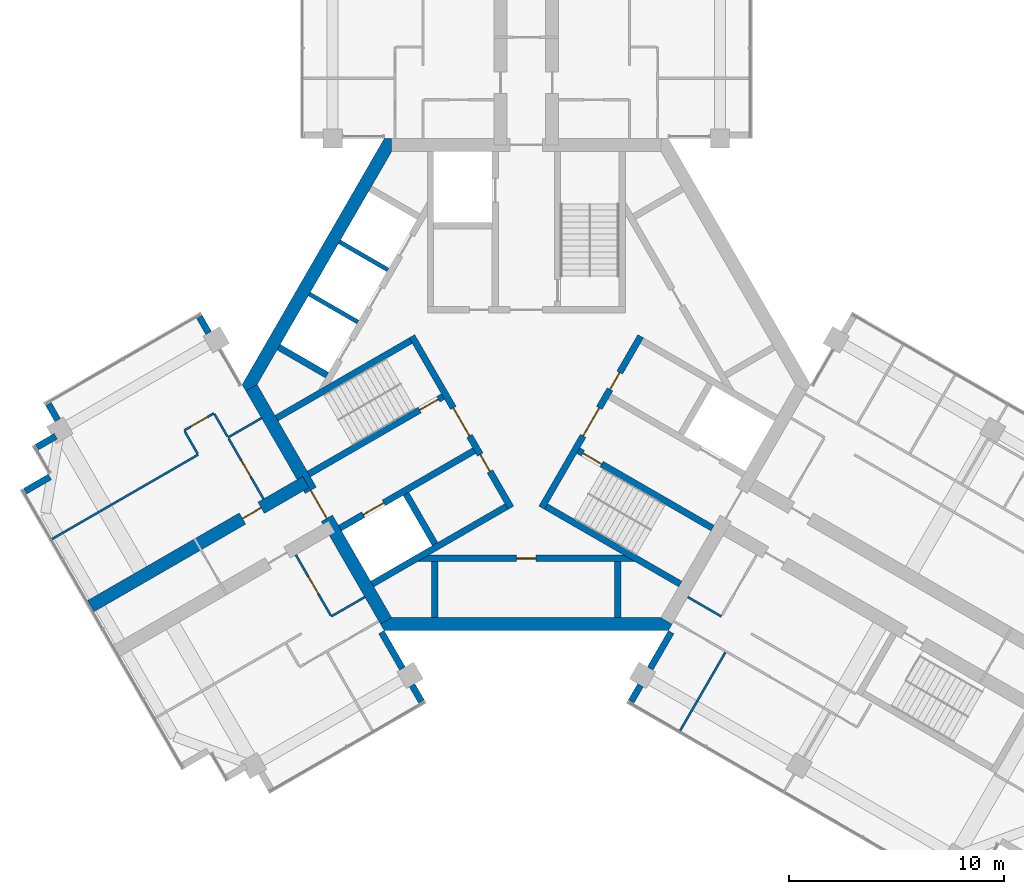
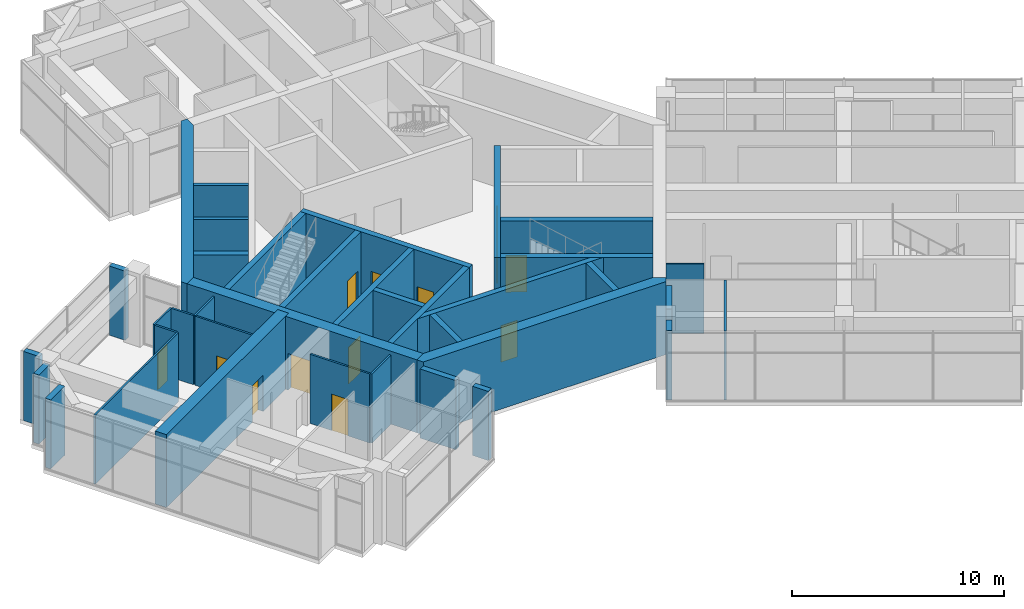
# One storey, part 9 of 13: 37 walls, 13 doors, 13 openings.
"""IFC4 building model written with IfcOpenShell, lengths in metres."""

from ifc_helpers import new_model, si_unit, direction, frame, frame_2d, origin, place, context, subcontext, project, spatial, polyline, rectangle, outline, extrude, material, layer, layer_set, type_object, element, fill, save


model = new_model("IFC4")

# Units and contexts
model_context = context("Model", 3, precision=1e-05, world=origin(), true_north=direction((0.0, 1.0)))
body_context = subcontext(model_context, "Body", "Model", "MODEL_VIEW")
ifc_project = project(units=[si_unit("LENGTHUNIT", "METRE"), si_unit("AREAUNIT", "SQUARE_METRE"), si_unit("VOLUMEUNIT", "CUBIC_METRE"), si_unit("PLANEANGLEUNIT", "RADIAN"), si_unit("MASSUNIT", "GRAM", prefix="KILO")], contexts=[model_context])

# Site, building, storey
site_placement = place(None, origin())
site = spatial("IfcSite", under=ifc_project, at=site_placement, CompositionType="ELEMENT")
building_placement = place(site_placement, origin())
building = spatial("IfcBuilding", under=site, at=building_placement, Name="Impinga Residences", CompositionType="ELEMENT")
storey_placement = place(building_placement, frame((0.0, 0.0, 287.35009765625)))
storey = spatial("IfcBuildingStorey", under=building, at=storey_placement, Name="L72", CompositionType="ELEMENT", Elevation=287.35009765625)

# Wall, opening, door
ifc_material_1 = material(Name="Concrete C60/75", Category="concrete")
ifc_layer_1 = layer(ifc_material_1, 0.60009765625)
ifc_layer_set_1 = layer_set([ifc_layer_1], Name="Concrete C60/75")
wall_type_1 = type_object("IfcWallType", Name="BW3 corridor buttress wall, L46 to L73 600", PredefinedType="SHEAR", material=ifc_layer_set_1)
wall_1_placement = place(storey_placement, frame((-10.240234375, -4.526611328125, 0.0), z_axis=(0.0, 0.0, 1.0), x_axis=(-0.866023496323, -0.500003303805, 0.0)))
wall_1 = element("IfcWall", 1, at=wall_1_placement, inside=storey, type_object=wall_type_1, Name="Corridor wall BW3 WD L72", PredefinedType="SHEAR", context=body_context, shape_type="SweptSolid", body=[
    extrude(rectangle(XDim=11.5380859375, YDim=0.60009765625, at=frame_2d((5.76904296875, 0.0))), origin(), (0.0, 0.0, 1.0), 4.199951171875),
])
opening_1_placement = place(wall_1_placement, frame((2.39990234375, 0.0, 0.0)))
opening_1 = element("IfcOpeningElement", 2, at=opening_1_placement, cuts=wall_1, Name="Opening D1", PredefinedType="OPENING", context=body_context, shape_type="SweptSolid", body=[
    extrude(rectangle(XDim=1.0, YDim=2.10009765625, at=frame_2d((0.5, 1.050048828125))), frame((0.0, 0.31005859375, 0.0), z_axis=(0.0, -1.0, 0.0), x_axis=(1.0, 0.0, 0.0)), (0.0, 0.0, 1.0), 0.6201171875),
])
ifc_material_2 = material(Name="Timber door set", Category="wood")
door_type_1 = type_object("IfcDoorType", Name="D1 apartment entrance door 1000x2100", OperationType="SINGLE_SWING_LEFT", PredefinedType="DOOR", material=ifc_material_2)
door_1_placement = place(opening_1_placement, origin())
door_1 = element("IfcDoor", 3, at=door_1_placement, inside=storey, type_object=door_type_1, Name="Apartment L72-WF1 entrance", OperationType="SINGLE_SWING_LEFT", OverallHeight=2.10009765625, OverallWidth=1.0, PredefinedType="DOOR", context=body_context, shape_type="SweptSolid", body=[
    extrude(rectangle(XDim=1.0, YDim=2.10009765625, at=frame_2d((0.5, 1.050048828125))), frame((0.0, 0.02490234375, 0.0), z_axis=(0.0, -1.0, 0.0), x_axis=(1.0, 0.0, 0.0)), (0.0, 0.0, 1.0), 0.050048828125),
])
fill(opening_1, door_1)

# Walls
ifc_material_3 = material(Name="Stone facing on blockwork", Category="masonry")
ifc_layer_2 = layer(ifc_material_3, 0.300048828125)
ifc_layer_set_2 = layer_set([ifc_layer_2], Name="EW2 external wall, stone facing on blockwork 300")
wall_type_2 = type_object("IfcWallType", Name="EW2 external wall, stone facing on blockwork 300", PredefinedType="SOLIDWALL", material=ifc_layer_set_2)
wall_2_placement = place(storey_placement, frame((4.872314453125, -14.723876953125, 0.0), z_axis=(0.0, 0.0, 1.0), x_axis=(0.500023708017, 0.866011715522, 0.0)))
element("IfcWall", 4, at=wall_2_placement, inside=storey, type_object=wall_type_2, Name="External wall EW2 L72", PredefinedType="SOLIDWALL", context=body_context, shape_type="SweptSolid", body=[
    extrude(rectangle(XDim=0.865234375, YDim=0.300048828125, at=frame_2d((0.4326171875, 0.0))), origin(), (0.0, 0.0, 1.0), 3.97998046875),
])
for number, where, z_axis, x_axis, name in (
    (5, (5.7548828125, -13.1953125, 0.0), (0.0, 0.0, 1.0), (0.500043961785, 0.866000020948, 0.0), "External wall EW2 L72"),
    (6, (-6.72998046875, -11.506591796875, 0.0), (0.0, 0.0, 1.0), (0.500043961785, -0.866000020948, 0.0), "External wall EW2 L72"),
):
    element("IfcWall", number, at=place(storey_placement, frame(where, z_axis=z_axis, x_axis=x_axis)), inside=storey, type_object=wall_type_2, Name=name, PredefinedType="SOLIDWALL", context=body_context, shape_type="SweptSolid", body=[
        extrude(rectangle(XDim=1.949951171875, YDim=0.300048828125, at=frame_2d((0.97509765625, 0.0))), origin(), (0.0, 0.0, 1.0), 3.97998046875),
    ])
wall_3_placement = place(storey_placement, frame((-5.304931640625, -13.974609375, 0.0), z_axis=(0.0, 0.0, 1.0), x_axis=(0.500023708017, -0.866011715522, 0.0)))
element("IfcWall", 7, at=wall_3_placement, inside=storey, type_object=wall_type_2, Name="External wall EW2 L72", PredefinedType="SOLIDWALL", context=body_context, shape_type="SweptSolid", body=[
    extrude(rectangle(XDim=0.865234375, YDim=0.300048828125, at=frame_2d((0.4326171875, 0.0))), origin(), (0.0, 0.0, 1.0), 3.97998046875),
])
wall_4_placement = place(storey_placement, frame((-23.287353515625, -4.9580078125, 0.0), z_axis=(0.0, 0.0, 1.0), x_axis=(0.865974619471, 0.500087950697, 0.0)))
element("IfcWall", 8, at=wall_4_placement, inside=storey, type_object=wall_type_2, Name="External wall EW2 L72", PredefinedType="SOLIDWALL", context=body_context, shape_type="SweptSolid", body=[
    extrude(rectangle(XDim=1.329833984375, YDim=0.300048828125, at=frame_2d((0.6650390625, 0.0))), origin(), (0.0, 0.0, 1.0), 3.97998046875),
])
wall_5_placement = place(storey_placement, frame((-22.738525390625, -2.908935546875, 0.0), z_axis=(0.0, 0.0, 1.0), x_axis=(0.866029394266, 0.49999308822, 0.0)))
element("IfcWall", 9, at=wall_5_placement, inside=storey, type_object=wall_type_2, Name="External wall EW2 L72", PredefinedType="SOLIDWALL", context=body_context, shape_type="SweptSolid", body=[
    extrude(rectangle(XDim=1.01513671875, YDim=0.300048828125, at=frame_2d((0.507568359375, 0.0))), origin(), (0.0, 0.0, 1.0), 3.97998046875),
])
for number, where, z_axis, x_axis, name in (
    (10, (-21.771240234375, -1.654296875, 0.0), (0.0, 0.0, 1.0), (-0.499885902046, 0.866091268248, 0.0), "External wall EW2 L72"),
    (11, (-15.1875, 3.142333984375, 0.0), (0.0, 0.0, 1.0), (0.500098305348, -0.865968639725, 0.0), "External wall EW2 L72"),
):
    element("IfcWall", number, at=place(storey_placement, frame(where, z_axis=z_axis, x_axis=x_axis)), inside=storey, type_object=wall_type_2, Name=name, PredefinedType="SOLIDWALL", context=body_context, shape_type="SweptSolid", body=[
        extrude(rectangle(XDim=0.862060546875, YDim=0.300048828125, at=frame_2d((0.43115234375, 0.0))), origin(), (0.0, 0.0, 1.0), 3.97998046875),
    ])
ifc_material_4 = material(Name="Gypsum board on steel studs", Category="steel")
ifc_layer_3 = layer(ifc_material_4, 0.10009765625)
ifc_layer_set_3 = layer_set([ifc_layer_3], Name="Gypsum board on steel studs")
wall_type_3 = type_object("IfcWallType", Name="IP1 partition 100", PredefinedType="PARTITIONING", material=ifc_layer_set_3)
wall_6_placement = place(storey_placement, frame((-7.5, -9.872802734375, 0.0), z_axis=(0.0, 0.0, 1.0), x_axis=(-0.866047807691, -0.499961193289, 0.0)))
element("IfcWall", 12, at=wall_6_placement, inside=storey, type_object=wall_type_3, Name="Partition L72-WA1:DIV0", PredefinedType="PARTITIONING", context=body_context, shape_type="SweptSolid", body=[
    extrude(rectangle(XDim=1.800048828125, YDim=0.10009765625, at=frame_2d((0.89990234375, 0.0))), origin(), (0.0, 0.0, 1.0), 3.97998046875),
])

# Wall, opening, door
wall_7_placement = place(storey_placement, frame((-10.708740234375, -7.914794921875, 0.0), z_axis=(0.0, 0.0, 1.0), x_axis=(0.499984717929, -0.866034226713, 0.0)))
wall_7 = element("IfcWall", 13, at=wall_7_placement, inside=storey, type_object=wall_type_3, Name="Partition L72-WA1:IB1", PredefinedType="PARTITIONING", context=body_context, shape_type="SweptSolid", body=[
    extrude(rectangle(XDim=3.25, YDim=0.10009765625, at=frame_2d((1.625, 0.0))), origin(), (0.0, 0.0, 1.0), 3.97998046875),
])
opening_2_placement = place(wall_7_placement, frame((1.175048828125, 0.0, 0.0)))
opening_2 = element("IfcOpeningElement", 14, at=opening_2_placement, cuts=wall_7, Name="Opening D2", PredefinedType="OPENING", context=body_context, shape_type="SweptSolid", body=[
    extrude(rectangle(XDim=0.89990234375, YDim=2.10009765625, at=frame_2d((0.449951171875, 1.050048828125))), frame((0.0, 0.06005859375, 0.0), z_axis=(0.0, -1.0, 0.0), x_axis=(1.0, 0.0, 0.0)), (0.0, 0.0, 1.0), 0.1201171875),
])
door_type_2 = type_object("IfcDoorType", Name="D2 internal door 900x2100", OperationType="SINGLE_SWING_LEFT", PredefinedType="DOOR", material=ifc_material_2)
door_2_placement = place(opening_2_placement, origin())
door_2 = element("IfcDoor", 15, at=door_2_placement, inside=storey, type_object=door_type_2, Name="Apartment L72-WA1 bathroom door", OperationType="SINGLE_SWING_LEFT", OverallHeight=2.10009765625, OverallWidth=0.89990234375, PredefinedType="DOOR", context=body_context, shape_type="SweptSolid", body=[
    extrude(rectangle(XDim=0.89990234375, YDim=2.10009765625, at=frame_2d((0.449951171875, 1.050048828125))), frame((0.0, 0.02490234375, 0.0), z_axis=(0.0, -1.0, 0.0), x_axis=(1.0, 0.0, 0.0)), (0.0, 0.0, 1.0), 0.050048828125),
])
fill(opening_2, door_2)

# Walls
wall_8_placement = place(storey_placement, frame((-12.300048828125, -1.558837890625, 0.0), z_axis=(0.0, 0.0, 1.0), x_axis=(-0.866047807691, -0.499961193289, 0.0)))
element("IfcWall", 16, at=wall_8_placement, inside=storey, type_object=wall_type_3, Name="Partition L72-WF1:DIV0", PredefinedType="PARTITIONING", context=body_context, shape_type="SweptSolid", body=[
    extrude(rectangle(XDim=1.800048828125, YDim=0.10009765625, at=frame_2d((0.89990234375, 0.0))), origin(), (0.0, 0.0, 1.0), 3.97998046875),
])
wall_9_placement = place(storey_placement, frame((-15.244384765625, -3.2587890625, 0.0), z_axis=(0.0, 0.0, 1.0), x_axis=(-0.866029956157, -0.499992114976, 0.0)))
element("IfcWall", 17, at=wall_9_placement, inside=storey, type_object=wall_type_3, Name="Partition L72-WF1:DIV1", PredefinedType="PARTITIONING", context=body_context, shape_type="SweptSolid", body=[
    extrude(rectangle(XDim=7.837158203125, YDim=0.10009765625, at=frame_2d((3.91845703125, 0.0))), origin(), (0.0, 0.0, 1.0), 3.97998046875),
])

# Wall, opening, door
wall_10_placement = place(storey_placement, frame((-14.5087890625, -1.3330078125, 0.0), z_axis=(0.0, 0.0, 1.0), x_axis=(-0.866028054938, -0.499995408039, 0.0)))
wall_10 = element("IfcWall", 18, at=wall_10_placement, inside=storey, type_object=wall_type_3, Name="Partition L72-WF1:STRIP", PredefinedType="PARTITIONING", context=body_context, shape_type="SweptSolid", body=[
    extrude(rectangle(XDim=1.60009765625, YDim=0.10009765625, at=frame_2d((0.800048828125, 0.0))), origin(), (0.0, 0.0, 1.0), 3.97998046875),
])
opening_3_placement = place(wall_10_placement, frame((0.35009765625, 0.0, 0.0)))
opening_3 = element("IfcOpeningElement", 19, at=opening_3_placement, cuts=wall_10, Name="Opening D2", PredefinedType="OPENING", context=body_context, shape_type="SweptSolid", body=[
    extrude(rectangle(XDim=0.89990234375, YDim=2.10009765625, at=frame_2d((0.449951171875, 1.050048828125))), frame((0.0, 0.06005859375, 0.0), z_axis=(0.0, -1.0, 0.0), x_axis=(1.0, 0.0, 0.0)), (0.0, 0.0, 1.0), 0.1201171875),
])
door_3_placement = place(opening_3_placement, origin())
door_3 = element("IfcDoor", 20, at=door_3_placement, inside=storey, type_object=door_type_2, Name="Apartment L72-WF1 room door", OperationType="SINGLE_SWING_LEFT", OverallHeight=2.10009765625, OverallWidth=0.89990234375, PredefinedType="DOOR", context=body_context, shape_type="SweptSolid", body=[
    extrude(rectangle(XDim=0.89990234375, YDim=2.10009765625, at=frame_2d((0.449951171875, 1.050048828125))), frame((0.0, 0.02490234375, 0.0), z_axis=(0.0, -1.0, 0.0), x_axis=(1.0, 0.0, 0.0)), (0.0, 0.0, 1.0), 0.050048828125),
])
fill(opening_3, door_3)

# Walls
wall_11_placement = place(storey_placement, frame((-13.8837890625, -2.41552734375, 0.0), z_axis=(0.0, 0.0, 1.0), x_axis=(-0.500033551112, 0.866006032174, 0.0)))
element("IfcWall", 21, at=wall_11_placement, inside=storey, type_object=wall_type_3, Name="Partition L72-WF1:SE0", PredefinedType="PARTITIONING", context=body_context, shape_type="SweptSolid", body=[
    extrude(rectangle(XDim=1.2001953125, YDim=0.10009765625, at=frame_2d((0.60009765625, 0.0))), origin(), (0.0, 0.0, 1.0), 3.97998046875),
])
wall_12_placement = place(storey_placement, frame((-15.26953125, -3.215576171875, 0.0), z_axis=(0.0, 0.0, 1.0), x_axis=(-0.499880961361, 0.866094119867, 0.0)))
element("IfcWall", 22, at=wall_12_placement, inside=storey, type_object=wall_type_3, Name="Partition L72-WF1:SE1", PredefinedType="PARTITIONING", context=body_context, shape_type="SweptSolid", body=[
    extrude(rectangle(XDim=1.199951171875, YDim=0.10009765625, at=frame_2d((0.60009765625, 0.0))), origin(), (0.0, 0.0, 1.0), 3.97998046875),
])

# Wall, opening, door
wall_13_placement = place(storey_placement, frame((-12.208740234375, -5.316650390625, 0.0), z_axis=(0.0, 0.0, 1.0), x_axis=(-0.500017246033, 0.866015446554, 0.0)))
wall_13 = element("IfcWall", 23, at=wall_13_placement, inside=storey, type_object=wall_type_3, Name="Partition L72-WF1:IB1", PredefinedType="PARTITIONING", context=body_context, shape_type="SweptSolid", body=[
    extrude(rectangle(XDim=3.25, YDim=0.10009765625, at=frame_2d((1.625, 0.0))), origin(), (0.0, 0.0, 1.0), 3.97998046875),
])
opening_4_placement = place(wall_13_placement, frame((1.175048828125, 0.0, 0.0)))
opening_4 = element("IfcOpeningElement", 24, at=opening_4_placement, cuts=wall_13, Name="Opening D2", PredefinedType="OPENING", context=body_context, shape_type="SweptSolid", body=[
    extrude(rectangle(XDim=0.89990234375, YDim=2.10009765625, at=frame_2d((0.449951171875, 1.050048828125))), frame((0.0, 0.06005859375, 0.0), z_axis=(0.0, -1.0, 0.0), x_axis=(1.0, 0.0, 0.0)), (0.0, 0.0, 1.0), 0.1201171875),
])
door_4_placement = place(opening_4_placement, origin())
door_4 = element("IfcDoor", 25, at=door_4_placement, inside=storey, type_object=door_type_2, Name="Apartment L72-WF1 bathroom door", OperationType="SINGLE_SWING_LEFT", OverallHeight=2.10009765625, OverallWidth=0.89990234375, PredefinedType="DOOR", context=body_context, shape_type="SweptSolid", body=[
    extrude(rectangle(XDim=0.89990234375, YDim=2.10009765625, at=frame_2d((0.449951171875, 1.050048828125))), frame((0.0, 0.02490234375, 0.0), z_axis=(0.0, -1.0, 0.0), x_axis=(1.0, 0.0, 0.0)), (0.0, 0.0, 1.0), 0.050048828125),
])
fill(opening_4, door_4)

# Walls
wall_14_placement = place(storey_placement, frame((7.5, -9.872802734375, 0.0), z_axis=(0.0, 0.0, 1.0), x_axis=(0.866047807691, -0.499961193289, 0.0)))
element("IfcWall", 26, at=wall_14_placement, inside=storey, type_object=wall_type_3, Name="Partition L72-EF1:DIV0", PredefinedType="PARTITIONING", context=body_context, shape_type="SweptSolid", body=[
    extrude(rectangle(XDim=1.800048828125, YDim=0.10009765625, at=frame_2d((0.89990234375, 0.0))), origin(), (0.0, 0.0, 1.0), 3.97998046875),
])
wall_15_placement = place(storey_placement, frame((9.249755859375, -12.44189453125, 0.0), z_axis=(0.0, 0.0, 1.0), x_axis=(-0.500008475426, -0.86602051044, 0.0)))
element("IfcWall", 27, at=wall_15_placement, inside=storey, type_object=wall_type_3, Name="Partition L72-EF1:OB1", PredefinedType="PARTITIONING", context=body_context, shape_type="SweptSolid", body=[
    extrude(rectangle(XDim=4.18701171875, YDim=0.10009765625, at=frame_2d((2.093505859375, 0.0))), origin(), (0.0, 0.0, 1.0), 3.97998046875),
])

# Wall, opening, door
ifc_layer_4 = layer(ifc_material_1, 0.60009765625)
ifc_layer_set_4 = layer_set([ifc_layer_4], Name="Concrete C60/75")
wall_type_4 = type_object("IfcWallType", Name="SW4 core wall, crown 600", PredefinedType="SHEAR", material=ifc_layer_set_4)
wall_16_placement = place(storey_placement, frame((-6.513427734375, -10.9814453125, 0.0), z_axis=(0.0, 0.0, 1.0), x_axis=(-0.500004069281, 0.866023054371, 0.0)))
wall_16 = element("IfcWall", 28, at=wall_16_placement, inside=storey, type_object=wall_type_4, Name="Core wall SW4 W:FACE L72", PredefinedType="SHEAR", context=body_context, shape_type="SweptSolid", body=[
    extrude(rectangle(XDim=12.50732421875, YDim=0.60009765625, at=frame_2d((6.253662109375, 0.0))), origin(), (0.0, 0.0, 1.0), 4.199951171875),
])
opening_5_placement = place(wall_16_placement, frame((5.503662109375, 0.0, 0.0)))
opening_5 = element("IfcOpeningElement", 29, at=opening_5_placement, cuts=wall_16, Name="Opening D4", PredefinedType="OPENING", context=body_context, shape_type="SweptSolid", body=[
    extrude(rectangle(XDim=1.5, YDim=2.10009765625, at=frame_2d((0.75, 1.050048828125))), frame((0.0, 0.31005859375, 0.0), z_axis=(0.0, -1.0, 0.0), x_axis=(1.0, 0.0, 0.0)), (0.0, 0.0, 1.0), 0.6201171875),
])
door_type_3 = type_object("IfcDoorType", Name="D4 lobby door pair 1500x2100", OperationType="DOUBLE_DOOR_DOUBLE_SWING", PredefinedType="DOOR", material=ifc_material_2)
door_5_placement = place(opening_5_placement, origin())
door_5 = element("IfcDoor", 30, at=door_5_placement, inside=storey, type_object=door_type_3, Name="Lobby door W", OperationType="DOUBLE_DOOR_DOUBLE_SWING", OverallHeight=2.10009765625, OverallWidth=1.5, PredefinedType="DOOR", context=body_context, shape_type="SweptSolid", body=[
    extrude(rectangle(XDim=1.5, YDim=2.10009765625, at=frame_2d((0.75, 1.050048828125))), frame((0.0, 0.02490234375, 0.0), z_axis=(0.0, -1.0, 0.0), x_axis=(1.0, 0.0, 0.0)), (0.0, 0.0, 1.0), 0.050048828125),
])
fill(opening_5, door_5)

# Walls
wall_17_placement = place(storey_placement, origin())
element("IfcWall", 31, at=wall_17_placement, inside=storey, type_object=wall_type_4, Name="Core wall SW4 N:EXPOSED L72", PredefinedType="SHEAR", context=body_context, shape_type="SweptSolid", body=[
    extrude(outline(polyline([(-6.60009765625, -11.431640625), (6.60009765625, -11.431640625), (6.773193359375, -11.131591796875), (6.253662109375, -10.83154296875), (-6.253662109375, -10.83154296875), (-6.773193359375, -11.131591796875), (-6.60009765625, -11.431640625)])), origin(), (0.0, 0.0, 1.0), 4.199951171875),
])
wall_18_placement = place(storey_placement, origin())
element("IfcWall", 32, at=wall_18_placement, inside=storey, type_object=wall_type_4, Name="Core wall SW4 E:EXPOSED L72", PredefinedType="SHEAR", context=body_context, shape_type="SweptSolid", body=[
    extrude(outline(polyline([(-6.60009765625, 11.431640625), (-13.199951171875, 0.0), (-13.02685546875, -0.300048828125), (-12.507080078125, 0.0), (-6.253662109375, 10.83154296875), (-6.253662109375, 11.431640625), (-6.60009765625, 11.431640625)])), origin(), (0.0, 0.0, 1.0), 4.199951171875),
])

# Wall, openings, doors
ifc_material_5 = material(Name="Concrete C70/85", Category="concrete")
ifc_layer_5 = layer(ifc_material_5, 0.300048828125)
ifc_layer_set_5 = layer_set([ifc_layer_5], Name="Concrete C70/85")
wall_type_5 = type_object("IfcWallType", Name="SW5 core inner wall, stairs, shafts and lobbies 300", PredefinedType="SHEAR", material=ifc_layer_set_5)
wall_19_placement = place(storey_placement, frame((-0.7138671875, -5.7236328125, 0.0), z_axis=(0.0, 0.0, 1.0), x_axis=(-0.499995050369, 0.866028261437, 0.0)))
wall_19 = element("IfcWall", 33, at=wall_19_placement, inside=storey, type_object=wall_type_5, Name="Core wall SW5 W:ZONE L72", PredefinedType="SHEAR", context=body_context, shape_type="SweptSolid", body=[
    extrude(rectangle(XDim=9.19970703125, YDim=0.300048828125, at=frame_2d((4.599853515625, 0.0))), origin(), (0.0, 0.0, 1.0), 4.199951171875),
])
opening_6_placement = place(wall_19_placement, frame((3.85009765625, 0.0, 0.0)))
opening_6 = element("IfcOpeningElement", 34, at=opening_6_placement, cuts=wall_19, Name="Opening D4", PredefinedType="OPENING", context=body_context, shape_type="SweptSolid", body=[
    extrude(rectangle(XDim=1.5, YDim=2.10009765625, at=frame_2d((0.75, 1.050048828125))), frame((0.0, 0.159912109375, 0.0), z_axis=(0.0, -1.0, 0.0), x_axis=(1.0, 0.0, 0.0)), (0.0, 0.0, 1.0), 0.320068359375),
])
opening_7_placement = place(wall_19_placement, frame((1.949951171875, 0.0, 0.0)))
opening_7 = element("IfcOpeningElement", 35, at=opening_7_placement, cuts=wall_19, Name="Opening D6", PredefinedType="OPENING", context=body_context, shape_type="SweptSolid", body=[
    extrude(rectangle(XDim=0.89990234375, YDim=2.10009765625, at=frame_2d((0.449951171875, 1.050048828125))), frame((0.0, 0.159912109375, 0.0), z_axis=(0.0, -1.0, 0.0), x_axis=(1.0, 0.0, 0.0)), (0.0, 0.0, 1.0), 0.320068359375),
])
door_6_placement = place(opening_6_placement, origin())
door_6 = element("IfcDoor", 36, at=door_6_placement, inside=storey, type_object=door_type_3, Name="Firefighting lobby door W", OperationType="DOUBLE_DOOR_DOUBLE_SWING", OverallHeight=2.10009765625, OverallWidth=1.5, PredefinedType="DOOR", context=body_context, shape_type="SweptSolid", body=[
    extrude(rectangle(XDim=1.5, YDim=2.10009765625, at=frame_2d((0.75, 1.050048828125))), frame((0.0, 0.02490234375, 0.0), z_axis=(0.0, -1.0, 0.0), x_axis=(1.0, 0.0, 0.0)), (0.0, 0.0, 1.0), 0.050048828125),
])
fill(opening_6, door_6)
door_type_4 = type_object("IfcDoorType", Name="D6 riser and store door 900x2100", OperationType="SINGLE_SWING_LEFT", PredefinedType="DOOR", material=ifc_material_2)
door_7_placement = place(opening_7_placement, origin())
door_7 = element("IfcDoor", 37, at=door_7_placement, inside=storey, type_object=door_type_4, Name="Riser door W", OperationType="SINGLE_SWING_LEFT", OverallHeight=2.10009765625, OverallWidth=0.89990234375, PredefinedType="DOOR", context=body_context, shape_type="SweptSolid", body=[
    extrude(rectangle(XDim=0.89990234375, YDim=2.10009765625, at=frame_2d((0.449951171875, 1.050048828125))), frame((0.0, 0.02490234375, 0.0), z_axis=(0.0, -1.0, 0.0), x_axis=(1.0, 0.0, 0.0)), (0.0, 0.0, 1.0), 0.050048828125),
])
fill(opening_7, door_7)

# Wall, opening, door
wall_20_placement = place(storey_placement, frame((-3.86865234375, -0.559326171875, 0.0), z_axis=(0.0, 0.0, 1.0), x_axis=(-0.866039935929, -0.499974828743, 0.0)))
wall_20 = element("IfcWall", 38, at=wall_20_placement, inside=storey, type_object=wall_type_5, Name="Core wall SW5 W:ST-IN L72", PredefinedType="SHEAR", context=body_context, shape_type="SweptSolid", body=[
    extrude(rectangle(XDim=7.201416015625, YDim=0.300048828125, at=frame_2d((3.6005859375, 0.0))), origin(), (0.0, 0.0, 1.0), 4.199951171875),
])
opening_8_placement = place(wall_20_placement, frame((0.25, 0.0, 0.0)))
opening_8 = element("IfcOpeningElement", 39, at=opening_8_placement, cuts=wall_20, Name="Opening D5", PredefinedType="OPENING", context=body_context, shape_type="SweptSolid", body=[
    extrude(rectangle(XDim=1.0, YDim=2.10009765625, at=frame_2d((0.5, 1.050048828125))), frame((0.0, 0.159912109375, 0.0), z_axis=(0.0, -1.0, 0.0), x_axis=(1.0, 0.0, 0.0)), (0.0, 0.0, 1.0), 0.320068359375),
])
door_type_5 = type_object("IfcDoorType", Name="D5 stair door 1000x2100", OperationType="SINGLE_SWING_LEFT", PredefinedType="DOOR", material=ifc_material_2)
door_8_placement = place(opening_8_placement, origin())
door_8 = element("IfcDoor", 40, at=door_8_placement, inside=storey, type_object=door_type_5, Name="Stair door W", OperationType="SINGLE_SWING_LEFT", OverallHeight=2.10009765625, OverallWidth=1.0, PredefinedType="DOOR", context=body_context, shape_type="SweptSolid", body=[
    extrude(rectangle(XDim=1.0, YDim=2.10009765625, at=frame_2d((0.5, 1.050048828125))), frame((0.0, 0.02490234375, 0.0), z_axis=(0.0, -1.0, 0.0), x_axis=(1.0, 0.0, 0.0)), (0.0, 0.0, 1.0), 0.050048828125),
])
fill(opening_8, door_8)

# Wall
wall_21_placement = place(storey_placement, frame((-5.36865234375, 2.038818359375, 0.0), z_axis=(0.0, 0.0, 1.0), x_axis=(-0.866025256649, -0.500000254847, 0.0)))
element("IfcWall", 41, at=wall_21_placement, inside=storey, type_object=wall_type_5, Name="Core wall SW5 W:ST-OUT L72", PredefinedType="SHEAR", context=body_context, shape_type="SweptSolid", body=[
    extrude(rectangle(XDim=7.20166015625, YDim=0.300048828125, at=frame_2d((3.600830078125, 0.0))), origin(), (0.0, 0.0, 1.0), 4.199951171875),
])

# Wall, opening, door
wall_22_placement = place(storey_placement, frame((-2.418701171875, -3.07080078125, 0.0), z_axis=(0.0, 0.0, 1.0), x_axis=(-0.86603146111, -0.499989508258, 0.0)))
wall_22 = element("IfcWall", 42, at=wall_22_placement, inside=storey, type_object=wall_type_5, Name="Core wall SW5 W:FF-IN L72", PredefinedType="SHEAR", context=body_context, shape_type="SweptSolid", body=[
    extrude(rectangle(XDim=7.201416015625, YDim=0.300048828125, at=frame_2d((3.6005859375, 0.0))), origin(), (0.0, 0.0, 1.0), 4.199951171875),
])
opening_9_placement = place(wall_22_placement, frame((4.85009765625, 0.0, 0.0)))
opening_9 = element("IfcOpeningElement", 43, at=opening_9_placement, cuts=wall_22, Name="Opening LD2", PredefinedType="OPENING", context=body_context, shape_type="SweptSolid", body=[
    extrude(rectangle(XDim=1.10009765625, YDim=2.10009765625, at=frame_2d((0.550048828125, 1.050048828125))), frame((0.0, 0.159912109375, 0.0), z_axis=(0.0, -1.0, 0.0), x_axis=(1.0, 0.0, 0.0)), (0.0, 0.0, 1.0), 0.320068359375),
])
ifc_material_6 = material(Name="Steel lift landing door", Category="steel")
door_type_6 = type_object("IfcDoorType", Name="LD2 firefighting lift landing door 1100x2100", OperationType="DOUBLE_DOOR_SLIDING", PredefinedType="DOOR", material=ifc_material_6)
door_9_placement = place(opening_9_placement, origin())
door_9 = element("IfcDoor", 44, at=door_9_placement, inside=storey, type_object=door_type_6, Name="Firefighting lift landing door F2", OperationType="DOUBLE_DOOR_SLIDING", OverallHeight=2.10009765625, OverallWidth=1.10009765625, PredefinedType="DOOR", context=body_context, shape_type="SweptSolid", body=[
    extrude(rectangle(XDim=1.10009765625, YDim=2.10009765625, at=frame_2d((0.550048828125, 1.050048828125))), frame((0.0, 0.02490234375, 0.0), z_axis=(0.0, -1.0, 0.0), x_axis=(1.0, 0.0, 0.0)), (0.0, 0.0, 1.0), 0.050048828125),
])
fill(opening_9, door_9)

# Walls
wall_23_placement = place(storey_placement, frame((-0.918701171875, -5.668701171875, 0.0), z_axis=(0.0, 0.0, 1.0), x_axis=(-0.866016781112, -0.50001493461, 0.0)))
element("IfcWall", 45, at=wall_23_placement, inside=storey, type_object=wall_type_5, Name="Core wall SW5 W:FF-OUT L72", PredefinedType="SHEAR", context=body_context, shape_type="SweptSolid", body=[
    extrude(rectangle(XDim=7.201416015625, YDim=0.300048828125, at=frame_2d((3.6005859375, 0.0))), origin(), (0.0, 0.0, 1.0), 4.199951171875),
])
wall_24_placement = place(storey_placement, frame((-4.2412109375, -7.413818359375, 0.0), z_axis=(0.0, 0.0, 1.0), x_axis=(-0.500048589285, 0.86599734893, 0.0)))
element("IfcWall", 46, at=wall_24_placement, inside=storey, type_object=wall_type_5, Name="Core wall SW5 W:FF-RS L72", PredefinedType="SHEAR", context=body_context, shape_type="SweptSolid", body=[
    extrude(rectangle(XDim=2.699951171875, YDim=0.300048828125, at=frame_2d((1.35009765625, 0.0))), origin(), (0.0, 0.0, 1.0), 4.199951171875),
])

# Wall, openings, doors
wall_25_placement = place(storey_placement, frame((5.313720703125, 2.24365234375, 0.0), z_axis=(0.0, 0.0, 1.0), x_axis=(-0.499995050369, -0.866028261437, 0.0)))
wall_25 = element("IfcWall", 47, at=wall_25_placement, inside=storey, type_object=wall_type_5, Name="Core wall SW5 E:ZONE L72", PredefinedType="SHEAR", context=body_context, shape_type="SweptSolid", body=[
    extrude(rectangle(XDim=9.19970703125, YDim=0.300048828125, at=frame_2d((4.599853515625, 0.0))), origin(), (0.0, 0.0, 1.0), 4.199951171875),
])
opening_10_placement = place(wall_25_placement, frame((3.85009765625, 0.0, 0.0)))
opening_10 = element("IfcOpeningElement", 48, at=opening_10_placement, cuts=wall_25, Name="Opening D4", PredefinedType="OPENING", context=body_context, shape_type="SweptSolid", body=[
    extrude(rectangle(XDim=1.5, YDim=2.10009765625, at=frame_2d((0.75, 1.050048828125))), frame((0.0, 0.159912109375, 0.0), z_axis=(0.0, -1.0, 0.0), x_axis=(1.0, 0.0, 0.0)), (0.0, 0.0, 1.0), 0.320068359375),
])
opening_11_placement = place(wall_25_placement, frame((1.949951171875, 0.0, 0.0)))
opening_11 = element("IfcOpeningElement", 49, at=opening_11_placement, cuts=wall_25, Name="Opening D6", PredefinedType="OPENING", context=body_context, shape_type="SweptSolid", body=[
    extrude(rectangle(XDim=0.89990234375, YDim=2.10009765625, at=frame_2d((0.449951171875, 1.050048828125))), frame((0.0, 0.159912109375, 0.0), z_axis=(0.0, -1.0, 0.0), x_axis=(1.0, 0.0, 0.0)), (0.0, 0.0, 1.0), 0.320068359375),
])
door_10_placement = place(opening_10_placement, origin())
door_10 = element("IfcDoor", 50, at=door_10_placement, inside=storey, type_object=door_type_3, Name="Firefighting lobby door E", OperationType="DOUBLE_DOOR_DOUBLE_SWING", OverallHeight=2.10009765625, OverallWidth=1.5, PredefinedType="DOOR", context=body_context, shape_type="SweptSolid", body=[
    extrude(rectangle(XDim=1.5, YDim=2.10009765625, at=frame_2d((0.75, 1.050048828125))), frame((0.0, 0.02490234375, 0.0), z_axis=(0.0, -1.0, 0.0), x_axis=(1.0, 0.0, 0.0)), (0.0, 0.0, 1.0), 0.050048828125),
])
fill(opening_10, door_10)
door_11_placement = place(opening_11_placement, origin())
door_11 = element("IfcDoor", 51, at=door_11_placement, inside=storey, type_object=door_type_4, Name="Riser door E", OperationType="SINGLE_SWING_LEFT", OverallHeight=2.10009765625, OverallWidth=0.89990234375, PredefinedType="DOOR", context=body_context, shape_type="SweptSolid", body=[
    extrude(rectangle(XDim=0.89990234375, YDim=2.10009765625, at=frame_2d((0.449951171875, 1.050048828125))), frame((0.0, 0.02490234375, 0.0), z_axis=(0.0, -1.0, 0.0), x_axis=(1.0, 0.0, 0.0)), (0.0, 0.0, 1.0), 0.050048828125),
])
fill(opening_11, door_11)

# Wall, opening, door
wall_26_placement = place(storey_placement, frame((2.418701171875, -3.07080078125, 0.0), z_axis=(0.0, 0.0, 1.0), x_axis=(0.86603146111, -0.499989508258, 0.0)))
wall_26 = element("IfcWall", 52, at=wall_26_placement, inside=storey, type_object=wall_type_5, Name="Core wall SW5 E:ST-IN L72", PredefinedType="SHEAR", context=body_context, shape_type="SweptSolid", body=[
    extrude(rectangle(XDim=7.201416015625, YDim=0.300048828125, at=frame_2d((3.6005859375, 0.0))), origin(), (0.0, 0.0, 1.0), 4.199951171875),
])
opening_12_placement = place(wall_26_placement, frame((0.25, 0.0, 0.0)))
opening_12 = element("IfcOpeningElement", 53, at=opening_12_placement, cuts=wall_26, Name="Opening D5", PredefinedType="OPENING", context=body_context, shape_type="SweptSolid", body=[
    extrude(rectangle(XDim=1.0, YDim=2.10009765625, at=frame_2d((0.5, 1.050048828125))), frame((0.0, 0.159912109375, 0.0), z_axis=(0.0, -1.0, 0.0), x_axis=(1.0, 0.0, 0.0)), (0.0, 0.0, 1.0), 0.320068359375),
])
door_12_placement = place(opening_12_placement, origin())
door_12 = element("IfcDoor", 54, at=door_12_placement, inside=storey, type_object=door_type_5, Name="Stair door E", OperationType="SINGLE_SWING_LEFT", OverallHeight=2.10009765625, OverallWidth=1.0, PredefinedType="DOOR", context=body_context, shape_type="SweptSolid", body=[
    extrude(rectangle(XDim=1.0, YDim=2.10009765625, at=frame_2d((0.5, 1.050048828125))), frame((0.0, 0.02490234375, 0.0), z_axis=(0.0, -1.0, 0.0), x_axis=(1.0, 0.0, 0.0)), (0.0, 0.0, 1.0), 0.050048828125),
])
fill(opening_12, door_12)

# Wall
wall_27_placement = place(storey_placement, frame((0.918701171875, -5.668701171875, 0.0), z_axis=(0.0, 0.0, 1.0), x_axis=(0.866016781112, -0.50001493461, 0.0)))
element("IfcWall", 55, at=wall_27_placement, inside=storey, type_object=wall_type_5, Name="Core wall SW5 E:ST-OUT L72", PredefinedType="SHEAR", context=body_context, shape_type="SweptSolid", body=[
    extrude(rectangle(XDim=7.201416015625, YDim=0.300048828125, at=frame_2d((3.6005859375, 0.0))), origin(), (0.0, 0.0, 1.0), 4.199951171875),
])

# Wall, opening, door
wall_28_placement = place(storey_placement, frame((5.09765625, -8.08154296875, 0.0), z_axis=(0.0, 0.0, 1.0), x_axis=(-1.0, 0.0, 0.0)))
wall_28 = element("IfcWall", 56, at=wall_28_placement, inside=storey, type_object=wall_type_5, Name="Core wall SW5 N:BANK-FRONT L72", PredefinedType="SHEAR", context=body_context, shape_type="SweptSolid", body=[
    extrude(rectangle(XDim=10.1953125, YDim=0.300048828125, at=frame_2d((5.09765625, 0.0))), origin(), (0.0, 0.0, 1.0), 4.199951171875),
])
opening_13_placement = place(wall_28_placement, frame((4.647705078125, 0.0, 0.0)))
opening_13 = element("IfcOpeningElement", 57, at=opening_13_placement, cuts=wall_28, Name="Opening D6", PredefinedType="OPENING", context=body_context, shape_type="SweptSolid", body=[
    extrude(rectangle(XDim=0.89990234375, YDim=2.10009765625, at=frame_2d((0.449951171875, 1.050048828125))), frame((0.0, 0.159912109375, 0.0), z_axis=(0.0, -1.0, 0.0), x_axis=(1.0, 0.0, 0.0)), (0.0, 0.0, 1.0), 0.320068359375),
])
door_13_placement = place(opening_13_placement, origin())
door_13 = element("IfcDoor", 58, at=door_13_placement, inside=storey, type_object=door_type_4, Name="Residents' parcel room door", OperationType="SINGLE_SWING_LEFT", OverallHeight=2.10009765625, OverallWidth=0.89990234375, PredefinedType="DOOR", context=body_context, shape_type="SweptSolid", body=[
    extrude(rectangle(XDim=0.89990234375, YDim=2.10009765625, at=frame_2d((0.449951171875, 1.050048828125))), frame((0.0, 0.02490234375, 0.0), z_axis=(0.0, -1.0, 0.0), x_axis=(1.0, 0.0, 0.0)), (0.0, 0.0, 1.0), 0.050048828125),
])
fill(opening_13, door_13)

# Walls
for number, where, z_axis, x_axis, name in (
    (59, (4.25, -8.2314453125, 0.0), (0.0, 0.0, 1.0), (0.0, -1.0, 0.0), "Core wall SW5 N:BANK-L L72"),
    (60, (-4.25, -8.2314453125, 0.0), (0.0, 0.0, 1.0), (0.0, -1.0, 0.0), "Core wall SW5 N:BANK-R L72"),
    (61, (-9.253662109375, 0.43505859375, 0.0), (0.0, 0.0, 1.0), (-0.866021400173, 0.500006934395, 0.0), "Core wall SW5 E:BANK-L L72"),
):
    element("IfcWall", number, at=place(storey_placement, frame(where, z_axis=z_axis, x_axis=x_axis)), inside=storey, type_object=wall_type_5, Name=name, PredefinedType="SHEAR", context=body_context, shape_type="SweptSolid", body=[
        extrude(rectangle(XDim=2.60009765625, YDim=0.300048828125, at=frame_2d((1.300048828125, 0.0))), origin(), (0.0, 0.0, 1.0), 4.199951171875),
    ])
ifc_layer_6 = layer(ifc_material_5, 0.199951171875)
ifc_layer_set_6 = layer_set([ifc_layer_6], Name="Concrete C70/85")
wall_type_6 = type_object("IfcWallType", Name="SW6 lift shaft divider wall 200", PredefinedType="SHEAR", material=ifc_layer_set_6)
for number, where, z_axis, x_axis, name in (
    (62, (-7.82861328125, 2.9033203125, 0.0), (0.0, 0.0, 1.0), (-0.866021400173, 0.500006934395, 0.0), "Core wall SW6 E:BANK-D1 L72"),
    (63, (-6.4287109375, 5.328125, 0.0), (0.0, 0.0, 1.0), (-0.866021400173, 0.500006934395, 0.0), "Core wall SW6 E:BANK-D2 L72"),
):
    element("IfcWall", number, at=place(storey_placement, frame(where, z_axis=z_axis, x_axis=x_axis)), inside=storey, type_object=wall_type_6, Name=name, PredefinedType="SHEAR", context=body_context, shape_type="SweptSolid", body=[
        extrude(rectangle(XDim=2.60009765625, YDim=0.199951171875, at=frame_2d((1.300048828125, 0.0))), origin(), (0.0, 0.0, 1.0), 4.199951171875),
    ])

save(model, "model.ifc")
